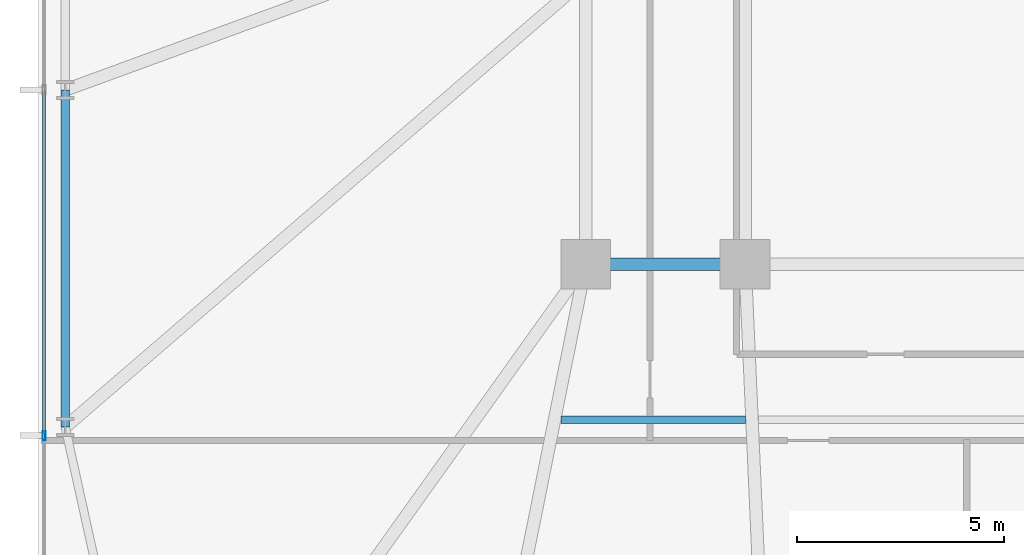
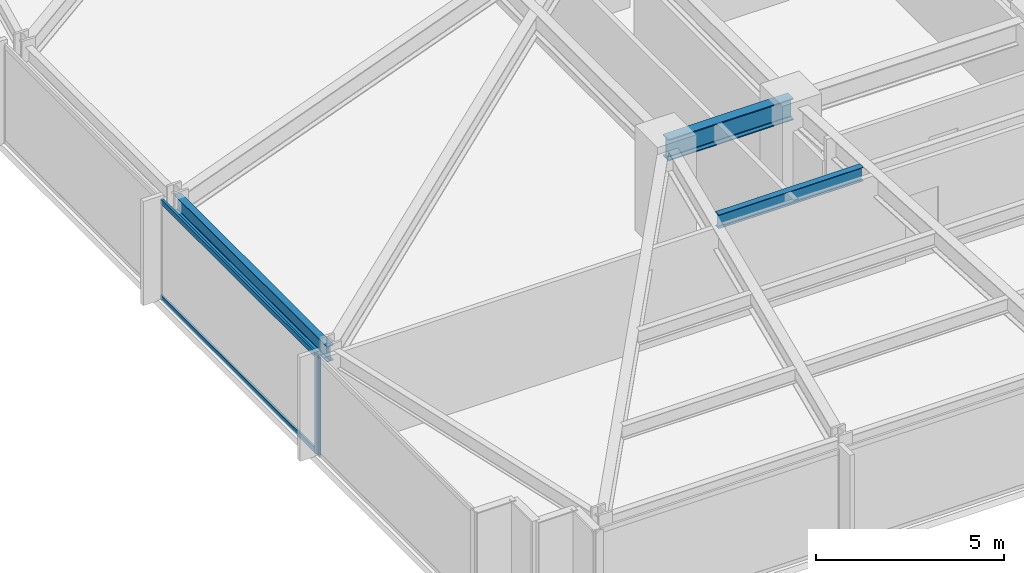
# One storey, part 4 of 33: 3 beams, 3 members, 1 element without a shape of its own.
"""IFC4 building model written with IfcOpenShell, lengths in metres."""

import ifcopenshell
import ifcopenshell.guid

model = None  # the IFC model being written
_history = None  # IfcOwnerHistory: only IFC2X3 demands one
_inside = {}  # id of a spatial element -> (the spatial element, [elements in it])
_under = {}  # id of a project, library or spatial element -> (it, [spatial elements below it])
_declared = {}  # id of a project -> (the project, [libraries it declares])
_typed = {}  # id of a type object -> (the type object, [elements of that type])
_made_of = {}  # id of a material, layer set ... -> (it, [elements and type objects made of it])


def new_model(schema):
    """Start an empty IFC model of exactly this schema.

    Asked for "IFC4X3", IfcOpenShell would pick the latest addendum, in which some entities
    have other attributes; the version numbers below select the first issue.
    IFC2X3 requires an IfcOwnerHistory on every rooted entity: one is made here for all.
    """
    global model, _history
    if schema == "IFC4X3":
        model = ifcopenshell.file(schema_version=(4, 3, 0, 0))
    else:
        model = ifcopenshell.file(schema=schema)
    _inside.clear()
    _under.clear()
    _declared.clear()
    _typed.clear()
    _made_of.clear()
    _history = None
    if model.schema == "IFC2X3":
        org = make("IfcOrganization", Name="unknown")
        user = make(
            "IfcPersonAndOrganization",
            ThePerson=make("IfcPerson", FamilyName="unknown"),
            TheOrganization=org,
        )
        app = make(
            "IfcApplication",
            ApplicationDeveloper=org,
            Version="unknown",
            ApplicationFullName="unknown",
            ApplicationIdentifier="unknown",
        )
        _history = make(
            "IfcOwnerHistory",
            OwningUser=user,
            OwningApplication=app,
            ChangeAction="ADDED",
            CreationDate=0,
        )
    return model


def make(cls, **values):
    """One entity of the class cls with the attributes given. An attribute that is None is left unset."""
    return model.create_entity(
        cls, **{name: value for name, value in values.items() if value is not None}
    )


def rooted(cls, **values):
    """An entity with a GlobalId (a new one), such as an element, a storey or a relation."""
    return make(cls, GlobalId=ifcopenshell.guid.new(), OwnerHistory=_history, **values)


def si_unit(unit_type, name, prefix=None):
    """IfcSIUnit, for example si_unit("LENGTHUNIT", "METRE", prefix="MILLI")."""
    return make("IfcSIUnit", UnitType=unit_type, Prefix=prefix, Name=name)


def assignment(units):
    """IfcUnitAssignment: the units of a project."""
    return None if units is None else make("IfcUnitAssignment", Units=units)


def point(xyz):
    """IfcCartesianPoint."""
    return None if xyz is None else make("IfcCartesianPoint", Coordinates=xyz)


def direction(xyz):
    """IfcDirection."""
    return None if xyz is None else make("IfcDirection", DirectionRatios=xyz)


def frame(location, z_axis=None, x_axis=None):
    """IfcAxis2Placement3D, a coordinate frame: its origin and axes. An axis left out is left unset."""
    return make(
        "IfcAxis2Placement3D",
        Location=point(location),
        Axis=direction(z_axis),
        RefDirection=direction(x_axis),
    )


def frame_2d(location, x_axis=None):
    """IfcAxis2Placement2D, a coordinate frame in the plane: its origin and x axis."""
    return make(
        "IfcAxis2Placement2D", Location=point(location), RefDirection=direction(x_axis)
    )


def origin():
    """The frame at (0, 0, 0) with its axes left unset."""
    return frame((0.0, 0.0, 0.0))


def origin_2d():
    """The frame at (0, 0) in the plane with its x axis left unset."""
    return frame_2d((0.0, 0.0))


def place(relative_to, where):
    """IfcLocalPlacement: puts the frame where relative to a parent placement (None: the world)."""
    return make(
        "IfcLocalPlacement", PlacementRelTo=relative_to, RelativePlacement=where
    )


def context(
    kind, dimensions, precision=None, world=None, true_north=None, identifier=None
):
    """IfcGeometricRepresentationContext, for example the 3D "Model" context."""
    return make(
        "IfcGeometricRepresentationContext",
        ContextIdentifier=identifier,
        ContextType=kind,
        CoordinateSpaceDimension=dimensions,
        Precision=precision,
        WorldCoordinateSystem=world,
        TrueNorth=true_north,
    )


def subcontext(parent, identifier, kind, view, scale=None):
    """IfcGeometricRepresentationSubContext, for example "Body" below "Model"."""
    return make(
        "IfcGeometricRepresentationSubContext",
        ContextIdentifier=identifier,
        ContextType=kind,
        ParentContext=parent,
        TargetScale=scale,
        TargetView=view,
    )


def project(units=None, contexts=None):
    """IfcProject with its units and contexts."""
    return rooted(
        "IfcProject",
        Name="project",
        RepresentationContexts=contexts,
        UnitsInContext=assignment(units),
    )


def spatial(cls, under=None, at=None, **own):
    """A site, building, storey or space (cls), placed at a placement, below another one or the project."""
    s = rooted(cls, ObjectPlacement=at, **own)
    if under is not None:
        _under.setdefault(under.id(), (under, []))[1].append(s)
    return s


def profile(cls, at=None, kind="AREA", **sizes):
    """A parametric profile (cls). Its sizes go by their IFC names, for example OverallWidth=200.0."""
    return make(cls, ProfileType=kind, Position=at, **sizes)


def hollow_rectangle(**sizes):
    """IfcRectangleHollowProfileDef."""
    return profile("IfcRectangleHollowProfileDef", **sizes)


def i_section(**sizes):
    """IfcIShapeProfileDef."""
    return profile("IfcIShapeProfileDef", **sizes)


def extrude(swept, where, along, depth):
    """IfcExtrudedAreaSolid: the profile swept, set in the frame where, extruded along a direction by depth."""
    return make(
        "IfcExtrudedAreaSolid",
        SweptArea=swept,
        Position=where,
        ExtrudedDirection=direction(along),
        Depth=depth,
    )


def shape(context_of_items, identifier, shape_type, items):
    """IfcShapeRepresentation: the items that make up one representation, for example the "Body"."""
    return make(
        "IfcShapeRepresentation",
        ContextOfItems=context_of_items,
        RepresentationIdentifier=identifier,
        RepresentationType=shape_type,
        Items=items,
    )


def material(Name=None, Category=None):
    """IfcMaterial."""
    return make("IfcMaterial", Name=Name, Category=Category)


def material_profile(
    of_material, cross_section, Name=None, Category=None, Priority=None
):
    """IfcMaterialProfile: a cross section and its material."""
    return make(
        "IfcMaterialProfile",
        Name=Name,
        Material=of_material,
        Profile=cross_section,
        Priority=Priority,
        Category=Category,
    )


def profile_set(profiles, Name=None, composite=None):
    """IfcMaterialProfileSet."""
    return make(
        "IfcMaterialProfileSet",
        Name=Name,
        MaterialProfiles=profiles,
        CompositeProfile=composite,
    )


def made_of(thing, what):
    """Note that an element or type object is made of a material, layer set ...; save() writes the relation."""
    if what is not None:
        _made_of.setdefault(what.id(), (what, []))[1].append(thing)
    return thing


def type_object(cls, material=None, **own):
    """A type object (cls), such as IfcWallType, which elements share."""
    return made_of(rooted(cls, **own), material)


def element(
    cls,
    number,
    at=None,
    inside=None,
    cuts=None,
    type_object=None,
    material=None,
    context=None,
    identifier="Body",
    shape_type=None,
    held_by="IfcProductDefinitionShape",
    body=None,
    shapes=None,
    **own,
):
    """One element of the class cls, such as IfcWall. Its Tag is "e" and its number.

    at: its placement. inside: the storey or other place that contains it. cuts: it is an
    opening in that element (IfcRelVoidsElement). A single representation is given by context,
    identifier, shape_type and body (its items); several are given by shapes. held_by: the class
    of the entity that holds the representations. save() writes the other relations.
    """
    e = rooted(cls, Tag="e%d" % number, ObjectPlacement=at, **own)
    if body is not None:
        shapes = [shape(context, identifier, shape_type, body)]
    if shapes is not None:
        e.Representation = make(held_by, Representations=shapes)
    if inside is not None:
        _inside.setdefault(inside.id(), (inside, []))[1].append(e)
    if cuts is not None:
        rooted(
            "IfcRelVoidsElement", RelatingBuildingElement=cuts, RelatedOpeningElement=e
        )
    if type_object is not None:
        _typed.setdefault(type_object.id(), (type_object, []))[1].append(e)
    return made_of(e, material)


def aggregate(whole, parts):
    """IfcRelAggregates: a whole, such as a stair, and the parts it consists of."""
    return rooted("IfcRelAggregates", RelatingObject=whole, RelatedObjects=parts)


def save(model, path):
    """Write the relations noted so far, then the file.

    IfcRelAggregates (storeys below a building ...), IfcRelContainedInSpatialStructure (elements
    in a storey), IfcRelDefinesByType, IfcRelAssociatesMaterial and IfcRelDeclares: one each for
    every whole, place, type object, material and project.
    """
    for whole, parts in _under.values():
        aggregate(whole, parts)
    for where, things in _inside.values():
        rooted(
            "IfcRelContainedInSpatialStructure",
            RelatedElements=things,
            RelatingStructure=where,
        )
    for kind, things in _typed.values():
        rooted("IfcRelDefinesByType", RelatedObjects=things, RelatingType=kind)
    for what, things in _made_of.values():
        rooted("IfcRelAssociatesMaterial", RelatedObjects=things, RelatingMaterial=what)
    for by, libraries in _declared.values():
        rooted("IfcRelDeclares", RelatingContext=by, RelatedDefinitions=libraries)
    model.write(path)


model = new_model("IFC4")

# Units and contexts
model_context = context("Model", 3, precision=1e-05, world=origin(), true_north=direction((0.0, 1.0)))
body_context = subcontext(model_context, "Body", "Model", "MODEL_VIEW")
ifc_project = project(units=[si_unit("LENGTHUNIT", "METRE"), si_unit("AREAUNIT", "SQUARE_METRE"), si_unit("VOLUMEUNIT", "CUBIC_METRE"), si_unit("PLANEANGLEUNIT", "RADIAN"), si_unit("MASSUNIT", "GRAM", prefix="KILO")], contexts=[model_context])

# Site, building, storey
site_placement = place(None, origin())
site = spatial("IfcSite", under=ifc_project, at=site_placement, CompositionType="ELEMENT")
building_placement = place(site_placement, origin())
building = spatial("IfcBuilding", under=site, at=building_placement, Name="Yelkora Congress Tower", CompositionType="ELEMENT")
storey_placement = place(building_placement, frame((0.0, 0.0, 37.199951171875)))
storey = spatial("IfcBuildingStorey", under=building, at=storey_placement, Name="L08", CompositionType="ELEMENT", Elevation=37.199951171875)

# Beams
ifc_material_1 = material(Name="Steel S355J2", Category="steel")
ifc_material_profile_1 = material_profile(ifc_material_1, i_section(OverallWidth=0.300048828125, OverallDepth=0.699951171875, WebThickness=0.01708984375, FlangeThickness=0.031982421875, FilletRadius=0.027099609375, at=origin_2d()), Name="HEB 700")
ifc_profile_set_1 = profile_set([ifc_material_profile_1], Name="Steel S355J2")
beam_type_1 = type_object("IfcBeamType", Name="BM-GIRD-HEB700", PredefinedType="BEAM", material=ifc_profile_set_1)
beam_1_placement = place(storey_placement, frame((19.199951171875, 25.199951171875, 2.830078125), z_axis=(1.0, 0.0, 0.0), x_axis=(0.0, 1.0, 0.0)))
element("IfcBeam", 1, at=beam_1_placement, inside=storey, type_object=beam_type_1, Name="L08 Spine Grid D Girder 1", PredefinedType="BEAM", context=body_context, shape_type="SweptSolid", body=[
    extrude(i_section(OverallWidth=0.300048828125, OverallDepth=0.699951171875, WebThickness=0.01708984375, FlangeThickness=0.031982421875, FilletRadius=0.027099609375, at=origin_2d()), origin(), (0.0, 0.0, 1.0), 3.840087890625),
])
ifc_material_profile_2 = material_profile(ifc_material_1, i_section(OverallWidth=0.18994140625, OverallDepth=0.449951171875, WebThickness=0.009521484375, FlangeThickness=0.0146484375, FilletRadius=0.02099609375, at=origin_2d()), Name="IPE 450")
ifc_profile_set_2 = profile_set([ifc_material_profile_2], Name="Steel S355J2")
beam_type_2 = type_object("IfcBeamType", Name="BM-JOIST-IPE450", PredefinedType="JOIST", material=ifc_profile_set_2)
beam_2_placement = place(storey_placement, frame((18.60546875, 21.449951171875, 2.955078125), z_axis=(1.0, 0.0, 0.0), x_axis=(0.0, 1.0, 0.0)))
element("IfcBeam", 2, at=beam_2_placement, inside=storey, type_object=beam_type_2, Name="L08 Composite Floor Joist 17", PredefinedType="JOIST", context=body_context, shape_type="SweptSolid", body=[
    extrude(i_section(OverallWidth=0.18994140625, OverallDepth=0.449951171875, WebThickness=0.009521484375, FlangeThickness=0.0146484375, FilletRadius=0.02099609375, at=origin_2d()), origin(), (0.0, 0.0, 1.0), 4.4404296875),
])
ifc_material_profile_3 = material_profile(ifc_material_1, i_section(OverallWidth=0.199951171875, OverallDepth=0.5, WebThickness=0.01025390625, FlangeThickness=0.01611328125, FilletRadius=0.02099609375, at=origin_2d()), Name="IPE 500")
ifc_profile_set_3 = profile_set([ifc_material_profile_3], Name="Steel S355J2")
beam_type_3 = type_object("IfcBeamType", Name="BM-SPAN-IPE500", PredefinedType="SPANDREL", material=ifc_profile_set_3)
beam_3_placement = place(storey_placement, frame((6.64990234375, 29.39990234375, 2.929931640625), z_axis=(0.0, -1.0, 0.0), x_axis=(1.0, 0.0, 0.0)))
element("IfcBeam", 3, at=beam_3_placement, inside=storey, type_object=beam_type_3, Name="L08 Perimeter Beam 19", PredefinedType="SPANDREL", context=body_context, shape_type="SweptSolid", body=[
    extrude(i_section(OverallWidth=0.199951171875, OverallDepth=0.5, WebThickness=0.01025390625, FlangeThickness=0.01611328125, FilletRadius=0.02099609375, at=origin_2d()), origin(), (0.0, 0.0, 1.0), 8.125),
])

# Curtain wall, members
ifc_material_2 = material(Name="Anodised aluminium and insulated glass", Category="aluminium")
curtain_wall_type = type_object("IfcCurtainWallType", Name="CW-SYS-B1", PredefinedType="NOTDEFINED", material=ifc_material_2)
curtain_wall_placement = place(storey_placement, origin())
curtain_wall = element("IfcCurtainWall", 4, at=curtain_wall_placement, inside=storey, type_object=curtain_wall_type, Name="L08 Unitised Curtain Wall 5", PredefinedType="NOTDEFINED")
ifc_material_3 = material(Name="Anodised aluminium 6063-T6", Category="aluminium")
ifc_material_profile_4 = material_profile(ifc_material_3, hollow_rectangle(XDim=0.074951171875, YDim=0.219970703125, WallThickness=0.0048828125, at=origin_2d()), Name="ALU 75x220x5")
ifc_profile_set_4 = profile_set([ifc_material_profile_4], Name="Anodised aluminium 6063-T6")
member_type_1 = type_object("IfcMemberType", Name="MEM-ML-B1", PredefinedType="MULLION", material=ifc_profile_set_4)
member_1_placement = place(storey_placement, frame((6.139892578125, 21.070068359375, 0.0), z_axis=(0.0, 0.0, 1.0), x_axis=(-1.0, 0.0, 0.0)))
member_1 = element("IfcMember", 5, at=member_1_placement, type_object=member_type_1, Name="CW-B1 mullion 2", PredefinedType="MULLION", context=body_context, shape_type="SweptSolid", body=[
    extrude(hollow_rectangle(XDim=0.074951171875, YDim=0.219970703125, WallThickness=0.0048828125, at=origin_2d()), origin(), (0.0, 0.0, 1.0), 3.179931640625),
])
ifc_material_profile_5 = material_profile(ifc_material_3, hollow_rectangle(XDim=0.06494140625, YDim=0.159912109375, WallThickness=0.00390625, at=origin_2d()), Name="ALU 65x160x4")
ifc_profile_set_5 = profile_set([ifc_material_profile_5], Name="Anodised aluminium 6063-T6")
member_type_2 = type_object("IfcMemberType", Name="MEM-TR-B1", PredefinedType="USERDEFINED", material=ifc_profile_set_5)
member_2_placement = place(storey_placement, frame((6.139892578125, 21.107421875, 0.032470703125), z_axis=(0.0, 1.0, 0.0), x_axis=(-1.0, 0.0, 0.0)))
member_2 = element("IfcMember", 6, at=member_2_placement, type_object=member_type_2, Name="CW-B1 transom 2.1", ObjectType="TRANSOM", PredefinedType="USERDEFINED", context=body_context, shape_type="SweptSolid", body=[
    extrude(hollow_rectangle(XDim=0.06494140625, YDim=0.159912109375, WallThickness=0.00390625, at=origin_2d()), origin(), (0.0, 0.0, 1.0), 8.255126953125),
])
member_3_placement = place(storey_placement, frame((6.139892578125, 21.107421875, 3.1474609375), z_axis=(0.0, 1.0, 0.0), x_axis=(-1.0, 0.0, 0.0)))
member_3 = element("IfcMember", 7, at=member_3_placement, type_object=member_type_2, Name="CW-B1 transom 2.2", ObjectType="TRANSOM", PredefinedType="USERDEFINED", context=body_context, shape_type="SweptSolid", body=[
    extrude(hollow_rectangle(XDim=0.06494140625, YDim=0.159912109375, WallThickness=0.00390625, at=origin_2d()), origin(), (0.0, 0.0, 1.0), 8.255126953125),
])
aggregate(curtain_wall, [member_1, member_2, member_3])

save(model, "model.ifc")
